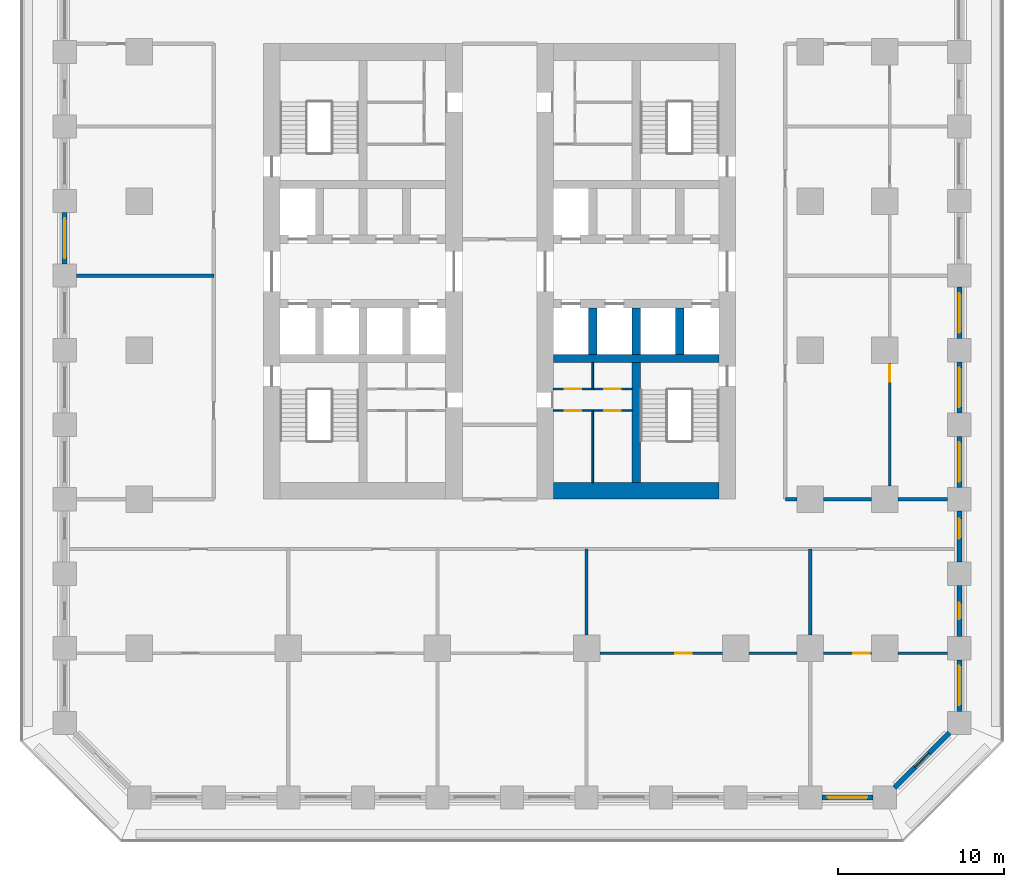
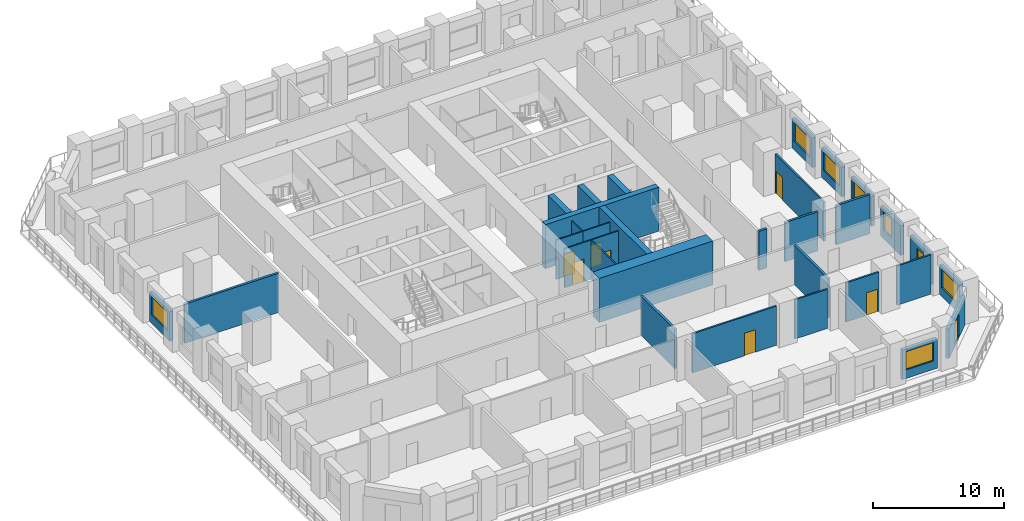
# One storey, part 4 of 11: 32 walls, 9 doors, 7 windows, 16 openings.
"""IFC4 building model written with IfcOpenShell, lengths in metres."""

from ifc_helpers import new_model, si_unit, direction, frame, frame_2d, origin, place, context, subcontext, project, spatial, rectangle, extrude, material, layer, layer_set, type_object, element, fill, save


model = new_model("IFC4")

# Units and contexts
model_context = context("Model", 3, precision=1e-05, world=origin(), true_north=direction((0.0, 1.0)))
body_context = subcontext(model_context, "Body", "Model", "MODEL_VIEW")
ifc_project = project(units=[si_unit("LENGTHUNIT", "METRE"), si_unit("AREAUNIT", "SQUARE_METRE"), si_unit("VOLUMEUNIT", "CUBIC_METRE"), si_unit("PLANEANGLEUNIT", "RADIAN"), si_unit("MASSUNIT", "GRAM", prefix="KILO")], contexts=[model_context])

# Site, building, storey
site_placement = place(None, origin())
site = spatial("IfcSite", under=ifc_project, at=site_placement, CompositionType="ELEMENT")
building_placement = place(site_placement, origin())
building = spatial("IfcBuilding", under=site, at=building_placement, Name="Corbel Stack Research Tower", CompositionType="ELEMENT")
storey_placement = place(building_placement, frame((0.0, 0.0, 62.39990234375)))
storey = spatial("IfcBuildingStorey", under=building, at=storey_placement, Name="L14", CompositionType="ELEMENT", Elevation=62.39990234375)

# Walls
ifc_material_1 = material(Name="Concrete C70/85", Category="concrete")
ifc_layer_1 = layer(ifc_material_1, 1.0)
ifc_layer_set_1 = layer_set([ifc_layer_1], Name="Concrete C70/85")
wall_type_1 = type_object("IfcWallType", Name="CW-1000-70", PredefinedType="SHEAR", material=ifc_layer_set_1)
wall_1_placement = place(storey_placement, frame((7.0, -8.5, 0.0), z_axis=(0.0, 0.0, 1.0), x_axis=(1.0, 0.0, 0.0)))
element("IfcWall", 1, at=wall_1_placement, inside=storey, type_object=wall_type_1, Name="East core wall, south end L14", PredefinedType="SHEAR", context=body_context, shape_type="SweptSolid", body=[
    extrude(rectangle(XDim=10.0, YDim=1.0, at=frame_2d((5.0, 0.0))), origin(), (0.0, 0.0, 1.0), 4.10009765625),
])
ifc_material_2 = material(Name="Concrete C70/85", Category="concrete")
ifc_layer_2 = layer(ifc_material_2, 0.5)
ifc_layer_set_2 = layer_set([ifc_layer_2], Name="Concrete C70/85")
wall_type_2 = type_object("IfcWallType", Name="CW-500-70", PredefinedType="SHEAR", material=ifc_layer_set_2)
wall_2_placement = place(storey_placement, frame((7.0, -0.5, 0.0), z_axis=(0.0, 0.0, 1.0), x_axis=(1.0, 0.0, 0.0)))
element("IfcWall", 2, at=wall_2_placement, inside=storey, type_object=wall_type_2, Name="East core wall, south row back L14", PredefinedType="SHEAR", context=body_context, shape_type="SweptSolid", body=[
    extrude(rectangle(XDim=10.0, YDim=0.5, at=frame_2d((5.0, 0.0))), origin(), (0.0, 0.0, 1.0), 4.10009765625),
])
for number, where, z_axis, x_axis, name in (
    (3, (9.375, -0.25, 0.0), (0.0, 0.0, 1.0), (0.0, 1.0, 0.0), "East core wall, south shaft 1 L14"),
    (4, (12.0, -0.25, 0.0), (0.0, 0.0, 1.0), (0.0, 1.0, 0.0), "East core wall, south shaft 2 L14"),
    (5, (14.625, -0.25, 0.0), (0.0, 0.0, 1.0), (0.0, 1.0, 0.0), "East core wall, south shaft 3 L14"),
):
    element("IfcWall", number, at=place(storey_placement, frame(where, z_axis=z_axis, x_axis=x_axis)), inside=storey, type_object=wall_type_2, Name=name, PredefinedType="SHEAR", context=body_context, shape_type="SweptSolid", body=[
        extrude(rectangle(XDim=2.800048828125, YDim=0.5, at=frame_2d((1.39990234375, 0.0))), origin(), (0.0, 0.0, 1.0), 4.10009765625),
    ])
wall_3_placement = place(storey_placement, frame((12.0, -8.0, 0.0), z_axis=(0.0, 0.0, 1.0), x_axis=(0.0, 1.0, 0.0)))
element("IfcWall", 6, at=wall_3_placement, inside=storey, type_object=wall_type_2, Name="East core wall, south stair and WC L14", PredefinedType="SHEAR", context=body_context, shape_type="SweptSolid", body=[
    extrude(rectangle(XDim=7.25, YDim=0.5, at=frame_2d((3.625, 0.0))), origin(), (0.0, 0.0, 1.0), 4.10009765625),
])

# Wall, opening, door
ifc_material_3 = material(Name="Gypsum board")
ifc_layer_3 = layer(ifc_material_3, 0.10009765625)
ifc_layer_set_3 = layer_set([ifc_layer_3], Name="Gypsum board")
wall_type_3 = type_object("IfcWallType", Name="Core partition 100", PredefinedType="PARTITIONING", material=ifc_layer_set_3)
wall_4_placement = place(storey_placement, frame((7.0, -3.64990234375, 0.0), z_axis=(0.0, 0.0, 1.0), x_axis=(1.0, 0.0, 0.0)))
wall_4 = element("IfcWall", 7, at=wall_4_placement, inside=storey, type_object=wall_type_3, Name="Core partition E", PredefinedType="PARTITIONING", context=body_context, shape_type="SweptSolid", body=[
    extrude(rectangle(XDim=2.375, YDim=0.10009765625, at=frame_2d((1.1875, 0.0))), origin(), (0.0, 0.0, 1.0), 3.650146484375),
])
opening_1_placement = place(wall_4_placement, frame((0.6875, 0.0, 0.0)))
opening_1 = element("IfcOpeningElement", 8, at=opening_1_placement, cuts=wall_4, Name="Opening CR-E54-W2-1000", PredefinedType="OPENING", context=body_context, shape_type="SweptSolid", body=[
    extrude(rectangle(XDim=1.0, YDim=2.10009765625, at=frame_2d((0.5, 1.050048828125))), frame((0.0, 0.06005859375, 0.0), z_axis=(0.0, -1.0, 0.0), x_axis=(1.0, 0.0, 0.0)), (0.0, 0.0, 1.0), 0.1201171875),
])
ifc_material_4 = material(Name="Painted timber door", Category="wood")
door_type_1 = type_object("IfcDoorType", Name="WC door 1000 x 2100 left hand", OperationType="SINGLE_SWING_LEFT", PredefinedType="DOOR", material=ifc_material_4)
door_1_placement = place(opening_1_placement, origin())
door_1 = element("IfcDoor", 9, at=door_1_placement, inside=storey, type_object=door_type_1, Name="Women's WC door E core", OperationType="SINGLE_SWING_LEFT", OverallHeight=2.10009765625, OverallWidth=1.0, PredefinedType="DOOR", context=body_context, shape_type="SweptSolid", body=[
    extrude(rectangle(XDim=1.0, YDim=2.10009765625, at=frame_2d((0.5, 1.050048828125))), frame((0.0, 0.02490234375, 0.0), z_axis=(0.0, -1.0, 0.0), x_axis=(1.0, 0.0, 0.0)), (0.0, 0.0, 1.0), 0.050048828125),
])
fill(opening_1, door_1)

wall_5_placement = place(storey_placement, frame((9.375, -3.64990234375, 0.0), z_axis=(0.0, 0.0, 1.0), x_axis=(1.0, 0.0, 0.0)))
wall_5 = element("IfcWall", 10, at=wall_5_placement, inside=storey, type_object=wall_type_3, Name="Core partition E", PredefinedType="PARTITIONING", context=body_context, shape_type="SweptSolid", body=[
    extrude(rectangle(XDim=2.375, YDim=0.10009765625, at=frame_2d((1.1875, 0.0))), origin(), (0.0, 0.0, 1.0), 3.650146484375),
])
opening_2_placement = place(wall_5_placement, frame((0.6875, 0.0, 0.0)))
opening_2 = element("IfcOpeningElement", 11, at=opening_2_placement, cuts=wall_5, Name="Opening CR-E54-W3-1000", PredefinedType="OPENING", context=body_context, shape_type="SweptSolid", body=[
    extrude(rectangle(XDim=1.0, YDim=2.10009765625, at=frame_2d((0.5, 1.050048828125))), frame((0.0, 0.06005859375, 0.0), z_axis=(0.0, -1.0, 0.0), x_axis=(1.0, 0.0, 0.0)), (0.0, 0.0, 1.0), 0.1201171875),
])
ifc_material_5 = material(Name="Painted timber door", Category="wood")
door_type_2 = type_object("IfcDoorType", Name="WC door 1000 x 2100 right hand", OperationType="SINGLE_SWING_RIGHT", PredefinedType="DOOR", material=ifc_material_5)
door_2_placement = place(opening_2_placement, origin())
door_2 = element("IfcDoor", 12, at=door_2_placement, inside=storey, type_object=door_type_2, Name="Men's WC door E core", OperationType="SINGLE_SWING_RIGHT", OverallHeight=2.10009765625, OverallWidth=1.0, PredefinedType="DOOR", context=body_context, shape_type="SweptSolid", body=[
    extrude(rectangle(XDim=1.0, YDim=2.10009765625, at=frame_2d((0.5, 1.050048828125))), frame((0.0, 0.02490234375, 0.0), z_axis=(0.0, -1.0, 0.0), x_axis=(1.0, 0.0, 0.0)), (0.0, 0.0, 1.0), 0.050048828125),
])
fill(opening_2, door_2)

wall_6_placement = place(storey_placement, frame((7.0, -2.344970703125, 0.0), z_axis=(0.0, 0.0, 1.0), x_axis=(1.0, 0.0, 0.0)))
wall_6 = element("IfcWall", 13, at=wall_6_placement, inside=storey, type_object=wall_type_3, Name="Core partition E", PredefinedType="PARTITIONING", context=body_context, shape_type="SweptSolid", body=[
    extrude(rectangle(XDim=2.375, YDim=0.10009765625, at=frame_2d((1.1875, 0.0))), origin(), (0.0, 0.0, 1.0), 3.650146484375),
])
opening_3_placement = place(wall_6_placement, frame((0.6875, 0.0, 0.0)))
opening_3 = element("IfcOpeningElement", 14, at=opening_3_placement, cuts=wall_6, Name="Opening CR-E54-W4-1000", PredefinedType="OPENING", context=body_context, shape_type="SweptSolid", body=[
    extrude(rectangle(XDim=1.0, YDim=2.10009765625, at=frame_2d((0.5, 1.050048828125))), frame((0.0, 0.06005859375, 0.0), z_axis=(0.0, -1.0, 0.0), x_axis=(1.0, 0.0, 0.0)), (0.0, 0.0, 1.0), 0.1201171875),
])
door_3_placement = place(opening_3_placement, origin())
door_3 = element("IfcDoor", 15, at=door_3_placement, inside=storey, type_object=door_type_1, Name="Accessible WC door E core", OperationType="SINGLE_SWING_LEFT", OverallHeight=2.10009765625, OverallWidth=1.0, PredefinedType="DOOR", context=body_context, shape_type="SweptSolid", body=[
    extrude(rectangle(XDim=1.0, YDim=2.10009765625, at=frame_2d((0.5, 1.050048828125))), frame((0.0, 0.02490234375, 0.0), z_axis=(0.0, -1.0, 0.0), x_axis=(1.0, 0.0, 0.0)), (0.0, 0.0, 1.0), 0.050048828125),
])
fill(opening_3, door_3)

wall_7_placement = place(storey_placement, frame((9.375, -2.344970703125, 0.0), z_axis=(0.0, 0.0, 1.0), x_axis=(1.0, 0.0, 0.0)))
wall_7 = element("IfcWall", 16, at=wall_7_placement, inside=storey, type_object=wall_type_3, Name="Core partition E", PredefinedType="PARTITIONING", context=body_context, shape_type="SweptSolid", body=[
    extrude(rectangle(XDim=2.375, YDim=0.10009765625, at=frame_2d((1.1875, 0.0))), origin(), (0.0, 0.0, 1.0), 3.650146484375),
])
opening_4_placement = place(wall_7_placement, frame((0.6875, 0.0, 0.0)))
opening_4 = element("IfcOpeningElement", 17, at=opening_4_placement, cuts=wall_7, Name="Opening CR-E54-W5-1000", PredefinedType="OPENING", context=body_context, shape_type="SweptSolid", body=[
    extrude(rectangle(XDim=1.0, YDim=2.10009765625, at=frame_2d((0.5, 1.050048828125))), frame((0.0, 0.06005859375, 0.0), z_axis=(0.0, -1.0, 0.0), x_axis=(1.0, 0.0, 0.0)), (0.0, 0.0, 1.0), 0.1201171875),
])
door_4_placement = place(opening_4_placement, origin())
door_4 = element("IfcDoor", 18, at=door_4_placement, inside=storey, type_object=door_type_2, Name="Shower and changing room door E core", OperationType="SINGLE_SWING_RIGHT", OverallHeight=2.10009765625, OverallWidth=1.0, PredefinedType="DOOR", context=body_context, shape_type="SweptSolid", body=[
    extrude(rectangle(XDim=1.0, YDim=2.10009765625, at=frame_2d((0.5, 1.050048828125))), frame((0.0, 0.02490234375, 0.0), z_axis=(0.0, -1.0, 0.0), x_axis=(1.0, 0.0, 0.0)), (0.0, 0.0, 1.0), 0.050048828125),
])
fill(opening_4, door_4)

# Walls
wall_8_placement = place(storey_placement, frame((9.375, -8.0, 0.0), z_axis=(0.0, 0.0, 1.0), x_axis=(0.0, 1.0, 0.0)))
element("IfcWall", 19, at=wall_8_placement, inside=storey, type_object=wall_type_3, Name="Core partition E", PredefinedType="PARTITIONING", context=body_context, shape_type="SweptSolid", body=[
    extrude(rectangle(XDim=4.35009765625, YDim=0.10009765625, at=frame_2d((2.175048828125, 0.0))), origin(), (0.0, 0.0, 1.0), 3.650146484375),
])
wall_9_placement = place(storey_placement, frame((9.375, -2.344970703125, 0.0), z_axis=(0.0, 0.0, 1.0), x_axis=(0.0, 1.0, 0.0)))
element("IfcWall", 20, at=wall_9_placement, inside=storey, type_object=wall_type_3, Name="Core partition E", PredefinedType="PARTITIONING", context=body_context, shape_type="SweptSolid", body=[
    extrude(rectangle(XDim=1.594970703125, YDim=0.10009765625, at=frame_2d((0.79736328125, 0.0))), origin(), (0.0, 0.0, 1.0), 3.650146484375),
])
ifc_material_6 = material(Name="Fire-rated gypsum board partition on steel studs", Category="steel")
ifc_layer_4 = layer(ifc_material_6, 0.199951171875)
ifc_layer_set_4 = layer_set([ifc_layer_4], Name="Fire-rated gypsum board partition on steel studs")
wall_type_4 = type_object("IfcWallType", Name="Fire-rated partition 200 EI 60", PredefinedType="PARTITIONING", material=ifc_layer_set_4)
for number, where, z_axis, x_axis, name in (
    (21, (9.0, -17.199951171875, 0.0), (0.0, 0.0, 1.0), (0.0, 1.0, 0.0), "Partition L14-009"),
    (22, (22.5, -17.199951171875, 0.0), (0.0, 0.0, 1.0), (0.0, 1.0, 0.0), "Partition L14-013"),
):
    element("IfcWall", number, at=place(storey_placement, frame(where, z_axis=z_axis, x_axis=x_axis)), inside=storey, type_object=wall_type_4, Name=name, PredefinedType="PARTITIONING", context=body_context, shape_type="SweptSolid", body=[
        extrude(rectangle(XDim=5.199951171875, YDim=0.199951171875, at=frame_2d((2.60009765625, 0.0))), origin(), (0.0, 0.0, 1.0), 3.650146484375),
    ])
wall_10_placement = place(storey_placement, frame((21.0, -9.0, 0.0), z_axis=(0.0, 0.0, 1.0), x_axis=(1.0, 0.0, 0.0)))
element("IfcWall", 23, at=wall_10_placement, inside=storey, type_object=wall_type_4, Name="Partition L14-030", PredefinedType="PARTITIONING", context=body_context, shape_type="SweptSolid", body=[
    extrude(rectangle(XDim=0.699951171875, YDim=0.199951171875, at=frame_2d((0.35009765625, 0.0))), origin(), (0.0, 0.0, 1.0), 3.650146484375),
])
wall_11_placement = place(storey_placement, frame((23.300048828125, -9.0, 0.0), z_axis=(0.0, 0.0, 1.0), x_axis=(1.0, 0.0, 0.0)))
element("IfcWall", 24, at=wall_11_placement, inside=storey, type_object=wall_type_4, Name="Partition L14-031", PredefinedType="PARTITIONING", context=body_context, shape_type="SweptSolid", body=[
    extrude(rectangle(XDim=2.89990234375, YDim=0.199951171875, at=frame_2d((1.449951171875, 0.0))), origin(), (0.0, 0.0, 1.0), 3.650146484375),
])
wall_12_placement = place(storey_placement, frame((27.800048828125, -9.0, 0.0), z_axis=(0.0, 0.0, 1.0), x_axis=(1.0, 0.0, 0.0)))
element("IfcWall", 25, at=wall_12_placement, inside=storey, type_object=wall_type_4, Name="Partition L14-032", PredefinedType="PARTITIONING", context=body_context, shape_type="SweptSolid", body=[
    extrude(rectangle(XDim=3.0, YDim=0.199951171875, at=frame_2d((1.5, 0.0))), origin(), (0.0, 0.0, 1.0), 3.650146484375),
])
wall_13_placement = place(storey_placement, frame((-21.800048828125, 4.5, 0.0), z_axis=(0.0, 0.0, 1.0), x_axis=(1.0, 0.0, 0.0)))
element("IfcWall", 26, at=wall_13_placement, inside=storey, type_object=wall_type_4, Name="Partition L14-034", PredefinedType="PARTITIONING", context=body_context, shape_type="SweptSolid", body=[
    extrude(rectangle(XDim=8.300048828125, YDim=0.199951171875, at=frame_2d((4.14990234375, 0.0))), origin(), (0.0, 0.0, 1.0), 3.650146484375),
])

# Wall, opening, door
ifc_material_7 = material(Name="Gypsum board partition on steel studs", Category="steel")
ifc_layer_5 = layer(ifc_material_7, 0.14990234375)
ifc_layer_set_5 = layer_set([ifc_layer_5], Name="Gypsum board partition on steel studs")
wall_type_5 = type_object("IfcWallType", Name="Partition 150", PredefinedType="PARTITIONING", material=ifc_layer_set_5)
wall_14_placement = place(storey_placement, frame((27.300048828125, -0.800048828125, 0.0), z_axis=(0.0, 0.0, 1.0), x_axis=(0.0, -1.0, 0.0)))
wall_14 = element("IfcWall", 27, at=wall_14_placement, inside=storey, type_object=wall_type_5, Name="Partition L14-015", PredefinedType="PARTITIONING", context=body_context, shape_type="SweptSolid", body=[
    extrude(rectangle(XDim=7.39990234375, YDim=0.14990234375, at=frame_2d((3.699951171875, 0.0))), origin(), (0.0, 0.0, 1.0), 3.650146484375),
])
opening_5_placement = place(wall_14_placement, frame((0.10009765625, 0.0, 0.0)))
opening_5 = element("IfcOpeningElement", 28, at=opening_5_placement, cuts=wall_14, Name="Opening B2V2-024", PredefinedType="OPENING", context=body_context, shape_type="SweptSolid", body=[
    extrude(rectangle(XDim=1.0, YDim=2.10009765625, at=frame_2d((0.5, 1.050048828125))), frame((0.0, 0.0849609375, 0.0), z_axis=(0.0, -1.0, 0.0), x_axis=(1.0, 0.0, 0.0)), (0.0, 0.0, 1.0), 0.169921875),
])
ifc_material_8 = material(Name="Painted timber door", Category="wood")
door_type_3 = type_object("IfcDoorType", Name="Single door 1000 x 2100", OperationType="NOTDEFINED", PredefinedType="DOOR", material=ifc_material_8)
door_5_placement = place(opening_5_placement, origin())
door_5 = element("IfcDoor", 29, at=door_5_placement, inside=storey, type_object=door_type_3, Name="Door B2V2-024", OperationType="SINGLE_SWING_LEFT", OverallHeight=2.10009765625, OverallWidth=1.0, PredefinedType="DOOR", context=body_context, shape_type="SweptSolid", body=[
    extrude(rectangle(XDim=1.0, YDim=2.10009765625, at=frame_2d((0.5, 1.050048828125))), frame((0.0, 0.02490234375, 0.0), z_axis=(0.0, -1.0, 0.0), x_axis=(1.0, 0.0, 0.0)), (0.0, 0.0, 1.0), 0.050048828125),
])
fill(opening_5, door_5)

wall_15_placement = place(storey_placement, frame((17.199951171875, -18.300048828125, 0.0), z_axis=(0.0, 0.0, 1.0), x_axis=(-1.0, 0.0, 0.0)))
wall_15 = element("IfcWall", 30, at=wall_15_placement, inside=storey, type_object=wall_type_5, Name="Partition L14-022", PredefinedType="PARTITIONING", context=body_context, shape_type="SweptSolid", body=[
    extrude(rectangle(XDim=7.39990234375, YDim=0.14990234375, at=frame_2d((3.699951171875, 0.0))), origin(), (0.0, 0.0, 1.0), 3.650146484375),
])
opening_6_placement = place(wall_15_placement, frame((1.85009765625, 0.0, 0.0)))
opening_6 = element("IfcOpeningElement", 31, at=opening_6_placement, cuts=wall_15, Name="Opening B2V2-004", PredefinedType="OPENING", context=body_context, shape_type="SweptSolid", body=[
    extrude(rectangle(XDim=1.0, YDim=2.10009765625, at=frame_2d((0.5, 1.050048828125))), frame((0.0, 0.0849609375, 0.0), z_axis=(0.0, -1.0, 0.0), x_axis=(1.0, 0.0, 0.0)), (0.0, 0.0, 1.0), 0.169921875),
])
door_6_placement = place(opening_6_placement, origin())
door_6 = element("IfcDoor", 32, at=door_6_placement, inside=storey, type_object=door_type_3, Name="Door B2V2-004", OperationType="SINGLE_SWING_LEFT", OverallHeight=2.10009765625, OverallWidth=1.0, PredefinedType="DOOR", context=body_context, shape_type="SweptSolid", body=[
    extrude(rectangle(XDim=1.0, YDim=2.10009765625, at=frame_2d((0.5, 1.050048828125))), frame((0.0, 0.02490234375, 0.0), z_axis=(0.0, -1.0, 0.0), x_axis=(1.0, 0.0, 0.0)), (0.0, 0.0, 1.0), 0.050048828125),
])
fill(opening_6, door_6)

# Wall
wall_16_placement = place(storey_placement, frame((18.800048828125, -18.300048828125, 0.0), z_axis=(0.0, 0.0, 1.0), x_axis=(1.0, 0.0, 0.0)))
element("IfcWall", 33, at=wall_16_placement, inside=storey, type_object=wall_type_5, Name="Partition L14-023", PredefinedType="PARTITIONING", context=body_context, shape_type="SweptSolid", body=[
    extrude(rectangle(XDim=2.89990234375, YDim=0.14990234375, at=frame_2d((1.449951171875, 0.0))), origin(), (0.0, 0.0, 1.0), 3.650146484375),
])

# Wall, opening, door
wall_17_placement = place(storey_placement, frame((26.199951171875, -18.300048828125, 0.0), z_axis=(0.0, 0.0, 1.0), x_axis=(-1.0, 0.0, 0.0)))
wall_17 = element("IfcWall", 34, at=wall_17_placement, inside=storey, type_object=wall_type_5, Name="Partition L14-024", PredefinedType="PARTITIONING", context=body_context, shape_type="SweptSolid", body=[
    extrude(rectangle(XDim=2.89990234375, YDim=0.14990234375, at=frame_2d((1.449951171875, 0.0))), origin(), (0.0, 0.0, 1.0), 3.650146484375),
])
opening_7_placement = place(wall_17_placement, frame((0.10009765625, 0.0, 0.0)))
opening_7 = element("IfcOpeningElement", 35, at=opening_7_placement, cuts=wall_17, Name="Opening B2V2-005", PredefinedType="OPENING", context=body_context, shape_type="SweptSolid", body=[
    extrude(rectangle(XDim=1.0, YDim=2.10009765625, at=frame_2d((0.5, 1.050048828125))), frame((0.0, 0.0849609375, 0.0), z_axis=(0.0, -1.0, 0.0), x_axis=(1.0, 0.0, 0.0)), (0.0, 0.0, 1.0), 0.169921875),
])
door_7_placement = place(opening_7_placement, origin())
door_7 = element("IfcDoor", 36, at=door_7_placement, inside=storey, type_object=door_type_3, Name="Door B2V2-005", OperationType="SINGLE_SWING_LEFT", OverallHeight=2.10009765625, OverallWidth=1.0, PredefinedType="DOOR", context=body_context, shape_type="SweptSolid", body=[
    extrude(rectangle(XDim=1.0, YDim=2.10009765625, at=frame_2d((0.5, 1.050048828125))), frame((0.0, 0.02490234375, 0.0), z_axis=(0.0, -1.0, 0.0), x_axis=(1.0, 0.0, 0.0)), (0.0, 0.0, 1.0), 0.050048828125),
])
fill(opening_7, door_7)

# Wall
wall_18_placement = place(storey_placement, frame((27.800048828125, -18.300048828125, 0.0), z_axis=(0.0, 0.0, 1.0), x_axis=(1.0, 0.0, 0.0)))
element("IfcWall", 37, at=wall_18_placement, inside=storey, type_object=wall_type_5, Name="Partition L14-025", PredefinedType="PARTITIONING", context=body_context, shape_type="SweptSolid", body=[
    extrude(rectangle(XDim=3.0, YDim=0.14990234375, at=frame_2d((1.5, 0.0))), origin(), (0.0, 0.0, 1.0), 3.650146484375),
])

# Wall, opening, window
ifc_material_9 = material(Name="Concrete C45/55", Category="concrete")
ifc_layer_6 = layer(ifc_material_9, 0.300048828125)
ifc_layer_set_6 = layer_set([ifc_layer_6], Name="Concrete C45/55")
wall_type_6 = type_object("IfcWallType", Name="Terracotta-faced concrete wall 300", PredefinedType="SOLIDWALL", material=ifc_layer_set_6)
wall_19_placement = place(storey_placement, frame((26.300048828125, -27.0, 0.0), z_axis=(0.0, 0.0, 1.0), x_axis=(-1.0, 0.0, 0.0)))
wall_19 = element("IfcWall", 38, at=wall_19_placement, inside=storey, type_object=wall_type_6, Name="Facade wall L14 S10", PredefinedType="SOLIDWALL", context=body_context, shape_type="SweptSolid", body=[
    extrude(rectangle(XDim=3.10009765625, YDim=0.300048828125, at=frame_2d((1.550048828125, 0.0))), origin(), (0.0, 0.0, 1.0), 2.75),
])
opening_8_placement = place(wall_19_placement, frame((0.35009765625, 0.0, 0.800048828125)))
opening_8 = element("IfcOpeningElement", 39, at=opening_8_placement, cuts=wall_19, Name="Opening W1", PredefinedType="OPENING", context=body_context, shape_type="SweptSolid", body=[
    extrude(rectangle(XDim=2.39990234375, YDim=1.699951171875, at=frame_2d((1.199951171875, 0.85009765625))), frame((0.0, 0.159912109375, 0.0), z_axis=(0.0, -1.0, 0.0), x_axis=(1.0, 0.0, 0.0)), (0.0, 0.0, 1.0), 0.320068359375),
])
ifc_material_10 = material(Name="Aluminium frame, clear double glazing", Category="aluminium")
window_type_1 = type_object("IfcWindowType", Name="Window W1 2400 x 1700", PartitioningType="SINGLE_PANEL", PredefinedType="WINDOW", material=ifc_material_10)
window_1_placement = place(opening_8_placement, origin())
window_1 = element("IfcWindow", 40, at=window_1_placement, inside=storey, type_object=window_type_1, Name="Window W1 L14 S10", OverallHeight=1.699951171875, OverallWidth=2.39990234375, PartitioningType="SINGLE_PANEL", PredefinedType="WINDOW", context=body_context, shape_type="SweptSolid", body=[
    extrude(rectangle(XDim=2.39990234375, YDim=1.699951171875, at=frame_2d((1.199951171875, 0.85009765625))), frame((0.0, 0.030029296875, 0.0), z_axis=(0.0, -1.0, 0.0), x_axis=(1.0, 0.0, 0.0)), (0.0, 0.0, 1.0), 0.06005859375),
])
fill(opening_8, window_1)

# Wall, opening, door
wall_20_placement = place(storey_placement, frame((30.906005859375, -23.093994140625, 0.0), z_axis=(0.0, 0.0, 1.0), x_axis=(-0.707106781187, -0.707106781187, 0.0)))
wall_20 = element("IfcWall", 41, at=wall_20_placement, inside=storey, type_object=wall_type_6, Name="Facade wall L14 SE01", PredefinedType="SOLIDWALL", context=body_context, shape_type="SweptSolid", body=[
    extrude(rectangle(XDim=4.683837890625, YDim=0.300048828125, at=frame_2d((2.341796875, 0.0))), origin(), (0.0, 0.0, 1.0), 2.75),
])
opening_9_placement = place(wall_20_placement, frame((1.741943359375, 0.0, 0.0)))
opening_9 = element("IfcOpeningElement", 42, at=opening_9_placement, cuts=wall_20, Name="Opening L14-B03", PredefinedType="OPENING", context=body_context, shape_type="SweptSolid", body=[
    extrude(rectangle(XDim=1.199951171875, YDim=2.199951171875, at=frame_2d((0.60009765625, 1.10009765625))), frame((0.0, 0.159912109375, 0.0), z_axis=(0.0, -1.0, 0.0), x_axis=(1.0, 0.0, 0.0)), (0.0, 0.0, 1.0), 0.320068359375),
])
ifc_material_11 = material(Name="Aluminium frame, clear double glazing", Category="aluminium")
door_type_4 = type_object("IfcDoorType", Name="Balcony door BD2 1200 x 2200", OperationType="NOTDEFINED", PredefinedType="DOOR", material=ifc_material_11)
door_8_placement = place(opening_9_placement, origin())
door_8 = element("IfcDoor", 43, at=door_8_placement, inside=storey, type_object=door_type_4, Name="Balcony door L14-B03", OperationType="SINGLE_SWING_LEFT", OverallHeight=2.199951171875, OverallWidth=1.199951171875, PredefinedType="DOOR", context=body_context, shape_type="SweptSolid", body=[
    extrude(rectangle(XDim=1.199951171875, YDim=2.199951171875, at=frame_2d((0.60009765625, 1.10009765625))), frame((0.0, 0.02490234375, 0.0), z_axis=(0.0, -1.0, 0.0), x_axis=(1.0, 0.0, 0.0)), (0.0, 0.0, 1.0), 0.050048828125),
])
fill(opening_9, door_8)

# Wall, opening, window
wall_21_placement = place(storey_placement, frame((31.5, -18.699951171875, 0.0), z_axis=(0.0, 0.0, 1.0), x_axis=(0.0, -1.0, 0.0)))
wall_21 = element("IfcWall", 44, at=wall_21_placement, inside=storey, type_object=wall_type_6, Name="Facade wall L14 E01", PredefinedType="SOLIDWALL", context=body_context, shape_type="SweptSolid", body=[
    extrude(rectangle(XDim=3.10009765625, YDim=0.300048828125, at=frame_2d((1.550048828125, 0.0))), origin(), (0.0, 0.0, 1.0), 2.75),
])
opening_10_placement = place(wall_21_placement, frame((0.35009765625, 0.0, 0.800048828125)))
opening_10 = element("IfcOpeningElement", 45, at=opening_10_placement, cuts=wall_21, Name="Opening W1", PredefinedType="OPENING", context=body_context, shape_type="SweptSolid", body=[
    extrude(rectangle(XDim=2.39990234375, YDim=1.699951171875, at=frame_2d((1.199951171875, 0.85009765625))), frame((0.0, 0.159912109375, 0.0), z_axis=(0.0, -1.0, 0.0), x_axis=(1.0, 0.0, 0.0)), (0.0, 0.0, 1.0), 0.320068359375),
])
window_2_placement = place(opening_10_placement, origin())
window_2 = element("IfcWindow", 46, at=window_2_placement, inside=storey, type_object=window_type_1, Name="Window W1 L14 E01", OverallHeight=1.699951171875, OverallWidth=2.39990234375, PartitioningType="SINGLE_PANEL", PredefinedType="WINDOW", context=body_context, shape_type="SweptSolid", body=[
    extrude(rectangle(XDim=2.39990234375, YDim=1.699951171875, at=frame_2d((1.199951171875, 0.85009765625))), frame((0.0, 0.030029296875, 0.0), z_axis=(0.0, -1.0, 0.0), x_axis=(1.0, 0.0, 0.0)), (0.0, 0.0, 1.0), 0.06005859375),
])
fill(opening_10, window_2)

# Wall, opening, door
wall_22_placement = place(storey_placement, frame((31.5, -14.199951171875, 0.0), z_axis=(0.0, 0.0, 1.0), x_axis=(0.0, -1.0, 0.0)))
wall_22 = element("IfcWall", 47, at=wall_22_placement, inside=storey, type_object=wall_type_6, Name="Facade wall L14 E02", PredefinedType="SOLIDWALL", context=body_context, shape_type="SweptSolid", body=[
    extrude(rectangle(XDim=3.10009765625, YDim=0.300048828125, at=frame_2d((1.550048828125, 0.0))), origin(), (0.0, 0.0, 1.0), 2.75),
])
opening_11_placement = place(wall_22_placement, frame((1.050048828125, 0.0, 0.0)))
opening_11 = element("IfcOpeningElement", 48, at=opening_11_placement, cuts=wall_22, Name="Opening L14-B04", PredefinedType="OPENING", context=body_context, shape_type="SweptSolid", body=[
    extrude(rectangle(XDim=1.0, YDim=2.199951171875, at=frame_2d((0.5, 1.10009765625))), frame((0.0, 0.159912109375, 0.0), z_axis=(0.0, -1.0, 0.0), x_axis=(1.0, 0.0, 0.0)), (0.0, 0.0, 1.0), 0.320068359375),
])
ifc_material_12 = material(Name="Aluminium frame, clear double glazing", Category="aluminium")
door_type_5 = type_object("IfcDoorType", Name="Balcony door BD1 1000 x 2200", OperationType="NOTDEFINED", PredefinedType="DOOR", material=ifc_material_12)
door_9_placement = place(opening_11_placement, origin())
door_9 = element("IfcDoor", 49, at=door_9_placement, inside=storey, type_object=door_type_5, Name="Balcony door L14-B04", OperationType="SINGLE_SWING_RIGHT", OverallHeight=2.199951171875, OverallWidth=1.0, PredefinedType="DOOR", context=body_context, shape_type="SweptSolid", body=[
    extrude(rectangle(XDim=1.0, YDim=2.199951171875, at=frame_2d((0.5, 1.10009765625))), frame((0.0, 0.02490234375, 0.0), z_axis=(0.0, -1.0, 0.0), x_axis=(1.0, 0.0, 0.0)), (0.0, 0.0, 1.0), 0.050048828125),
])
fill(opening_11, door_9)

# Wall, opening, window
wall_23_placement = place(storey_placement, frame((31.5, -9.699951171875, 0.0), z_axis=(0.0, 0.0, 1.0), x_axis=(0.0, -1.0, 0.0)))
wall_23 = element("IfcWall", 50, at=wall_23_placement, inside=storey, type_object=wall_type_6, Name="Facade wall L14 E03", PredefinedType="SOLIDWALL", context=body_context, shape_type="SweptSolid", body=[
    extrude(rectangle(XDim=3.10009765625, YDim=0.300048828125, at=frame_2d((1.550048828125, 0.0))), origin(), (0.0, 0.0, 1.0), 2.75),
])
opening_12_placement = place(wall_23_placement, frame((0.47509765625, 0.0, 0.800048828125)))
opening_12 = element("IfcOpeningElement", 51, at=opening_12_placement, cuts=wall_23, Name="Opening W2", PredefinedType="OPENING", context=body_context, shape_type="SweptSolid", body=[
    extrude(rectangle(XDim=1.199951171875, YDim=1.699951171875, at=frame_2d((0.60009765625, 0.85009765625))), frame((0.0, 0.159912109375, 0.0), z_axis=(0.0, -1.0, 0.0), x_axis=(1.0, 0.0, 0.0)), (0.0, 0.0, 1.0), 0.320068359375),
])
ifc_material_13 = material(Name="Aluminium frame, clear double glazing", Category="aluminium")
window_type_2 = type_object("IfcWindowType", Name="Window W2 1200 x 1700", PartitioningType="SINGLE_PANEL", PredefinedType="WINDOW", material=ifc_material_13)
window_3_placement = place(opening_12_placement, origin())
window_3 = element("IfcWindow", 52, at=window_3_placement, inside=storey, type_object=window_type_2, Name="Window W2 L14 E03", OverallHeight=1.699951171875, OverallWidth=1.199951171875, PartitioningType="SINGLE_PANEL", PredefinedType="WINDOW", context=body_context, shape_type="SweptSolid", body=[
    extrude(rectangle(XDim=1.199951171875, YDim=1.699951171875, at=frame_2d((0.60009765625, 0.85009765625))), frame((0.0, 0.030029296875, 0.0), z_axis=(0.0, -1.0, 0.0), x_axis=(1.0, 0.0, 0.0)), (0.0, 0.0, 1.0), 0.06005859375),
])
fill(opening_12, window_3)

wall_24_placement = place(storey_placement, frame((31.5, -5.199951171875, 0.0), z_axis=(0.0, 0.0, 1.0), x_axis=(0.0, -1.0, 0.0)))
wall_24 = element("IfcWall", 53, at=wall_24_placement, inside=storey, type_object=wall_type_6, Name="Facade wall L14 E04", PredefinedType="SOLIDWALL", context=body_context, shape_type="SweptSolid", body=[
    extrude(rectangle(XDim=3.10009765625, YDim=0.300048828125, at=frame_2d((1.550048828125, 0.0))), origin(), (0.0, 0.0, 1.0), 2.75),
])
opening_13_placement = place(wall_24_placement, frame((0.35009765625, 0.0, 0.800048828125)))
opening_13 = element("IfcOpeningElement", 54, at=opening_13_placement, cuts=wall_24, Name="Opening W1", PredefinedType="OPENING", context=body_context, shape_type="SweptSolid", body=[
    extrude(rectangle(XDim=2.39990234375, YDim=1.699951171875, at=frame_2d((1.199951171875, 0.85009765625))), frame((0.0, 0.159912109375, 0.0), z_axis=(0.0, -1.0, 0.0), x_axis=(1.0, 0.0, 0.0)), (0.0, 0.0, 1.0), 0.320068359375),
])
window_4_placement = place(opening_13_placement, origin())
window_4 = element("IfcWindow", 55, at=window_4_placement, inside=storey, type_object=window_type_1, Name="Window W1 L14 E04", OverallHeight=1.699951171875, OverallWidth=2.39990234375, PartitioningType="SINGLE_PANEL", PredefinedType="WINDOW", context=body_context, shape_type="SweptSolid", body=[
    extrude(rectangle(XDim=2.39990234375, YDim=1.699951171875, at=frame_2d((1.199951171875, 0.85009765625))), frame((0.0, 0.030029296875, 0.0), z_axis=(0.0, -1.0, 0.0), x_axis=(1.0, 0.0, 0.0)), (0.0, 0.0, 1.0), 0.06005859375),
])
fill(opening_13, window_4)

wall_25_placement = place(storey_placement, frame((31.5, -0.699951171875, 0.0), z_axis=(0.0, 0.0, 1.0), x_axis=(0.0, -1.0, 0.0)))
wall_25 = element("IfcWall", 56, at=wall_25_placement, inside=storey, type_object=wall_type_6, Name="Facade wall L14 E05", PredefinedType="SOLIDWALL", context=body_context, shape_type="SweptSolid", body=[
    extrude(rectangle(XDim=3.10009765625, YDim=0.300048828125, at=frame_2d((1.550048828125, 0.0))), origin(), (0.0, 0.0, 1.0), 2.75),
])
opening_14_placement = place(wall_25_placement, frame((0.35009765625, 0.0, 0.800048828125)))
opening_14 = element("IfcOpeningElement", 57, at=opening_14_placement, cuts=wall_25, Name="Opening W1", PredefinedType="OPENING", context=body_context, shape_type="SweptSolid", body=[
    extrude(rectangle(XDim=2.39990234375, YDim=1.699951171875, at=frame_2d((1.199951171875, 0.85009765625))), frame((0.0, 0.159912109375, 0.0), z_axis=(0.0, -1.0, 0.0), x_axis=(1.0, 0.0, 0.0)), (0.0, 0.0, 1.0), 0.320068359375),
])
window_5_placement = place(opening_14_placement, origin())
window_5 = element("IfcWindow", 58, at=window_5_placement, inside=storey, type_object=window_type_1, Name="Window W1 L14 E05", OverallHeight=1.699951171875, OverallWidth=2.39990234375, PartitioningType="SINGLE_PANEL", PredefinedType="WINDOW", context=body_context, shape_type="SweptSolid", body=[
    extrude(rectangle(XDim=2.39990234375, YDim=1.699951171875, at=frame_2d((1.199951171875, 0.85009765625))), frame((0.0, 0.030029296875, 0.0), z_axis=(0.0, -1.0, 0.0), x_axis=(1.0, 0.0, 0.0)), (0.0, 0.0, 1.0), 0.06005859375),
])
fill(opening_14, window_5)

wall_26_placement = place(storey_placement, frame((31.5, 3.800048828125, 0.0), z_axis=(0.0, 0.0, 1.0), x_axis=(0.0, -1.0, 0.0)))
wall_26 = element("IfcWall", 59, at=wall_26_placement, inside=storey, type_object=wall_type_6, Name="Facade wall L14 E06", PredefinedType="SOLIDWALL", context=body_context, shape_type="SweptSolid", body=[
    extrude(rectangle(XDim=3.10009765625, YDim=0.300048828125, at=frame_2d((1.550048828125, 0.0))), origin(), (0.0, 0.0, 1.0), 2.75),
])
opening_15_placement = place(wall_26_placement, frame((0.35009765625, 0.0, 0.800048828125)))
opening_15 = element("IfcOpeningElement", 60, at=opening_15_placement, cuts=wall_26, Name="Opening W1", PredefinedType="OPENING", context=body_context, shape_type="SweptSolid", body=[
    extrude(rectangle(XDim=2.39990234375, YDim=1.699951171875, at=frame_2d((1.199951171875, 0.85009765625))), frame((0.0, 0.159912109375, 0.0), z_axis=(0.0, -1.0, 0.0), x_axis=(1.0, 0.0, 0.0)), (0.0, 0.0, 1.0), 0.320068359375),
])
window_6_placement = place(opening_15_placement, origin())
window_6 = element("IfcWindow", 61, at=window_6_placement, inside=storey, type_object=window_type_1, Name="Window W1 L14 E06", OverallHeight=1.699951171875, OverallWidth=2.39990234375, PartitioningType="SINGLE_PANEL", PredefinedType="WINDOW", context=body_context, shape_type="SweptSolid", body=[
    extrude(rectangle(XDim=2.39990234375, YDim=1.699951171875, at=frame_2d((1.199951171875, 0.85009765625))), frame((0.0, 0.030029296875, 0.0), z_axis=(0.0, -1.0, 0.0), x_axis=(1.0, 0.0, 0.0)), (0.0, 0.0, 1.0), 0.06005859375),
])
fill(opening_15, window_6)

wall_27_placement = place(storey_placement, frame((-22.5, 5.199951171875, 0.0), z_axis=(0.0, 0.0, 1.0), x_axis=(0.0, 1.0, 0.0)))
wall_27 = element("IfcWall", 62, at=wall_27_placement, inside=storey, type_object=wall_type_6, Name="Facade wall L14 W04", PredefinedType="SOLIDWALL", context=body_context, shape_type="SweptSolid", body=[
    extrude(rectangle(XDim=3.10009765625, YDim=0.300048828125, at=frame_2d((1.550048828125, 0.0))), origin(), (0.0, 0.0, 1.0), 2.75),
])
opening_16_placement = place(wall_27_placement, frame((0.35009765625, 0.0, 0.800048828125)))
opening_16 = element("IfcOpeningElement", 63, at=opening_16_placement, cuts=wall_27, Name="Opening W1", PredefinedType="OPENING", context=body_context, shape_type="SweptSolid", body=[
    extrude(rectangle(XDim=2.39990234375, YDim=1.699951171875, at=frame_2d((1.199951171875, 0.85009765625))), frame((0.0, 0.159912109375, 0.0), z_axis=(0.0, -1.0, 0.0), x_axis=(1.0, 0.0, 0.0)), (0.0, 0.0, 1.0), 0.320068359375),
])
window_7_placement = place(opening_16_placement, origin())
window_7 = element("IfcWindow", 64, at=window_7_placement, inside=storey, type_object=window_type_1, Name="Window W1 L14 W04", OverallHeight=1.699951171875, OverallWidth=2.39990234375, PartitioningType="SINGLE_PANEL", PredefinedType="WINDOW", context=body_context, shape_type="SweptSolid", body=[
    extrude(rectangle(XDim=2.39990234375, YDim=1.699951171875, at=frame_2d((1.199951171875, 0.85009765625))), frame((0.0, 0.030029296875, 0.0), z_axis=(0.0, -1.0, 0.0), x_axis=(1.0, 0.0, 0.0)), (0.0, 0.0, 1.0), 0.06005859375),
])
fill(opening_16, window_7)

save(model, "model.ifc")
